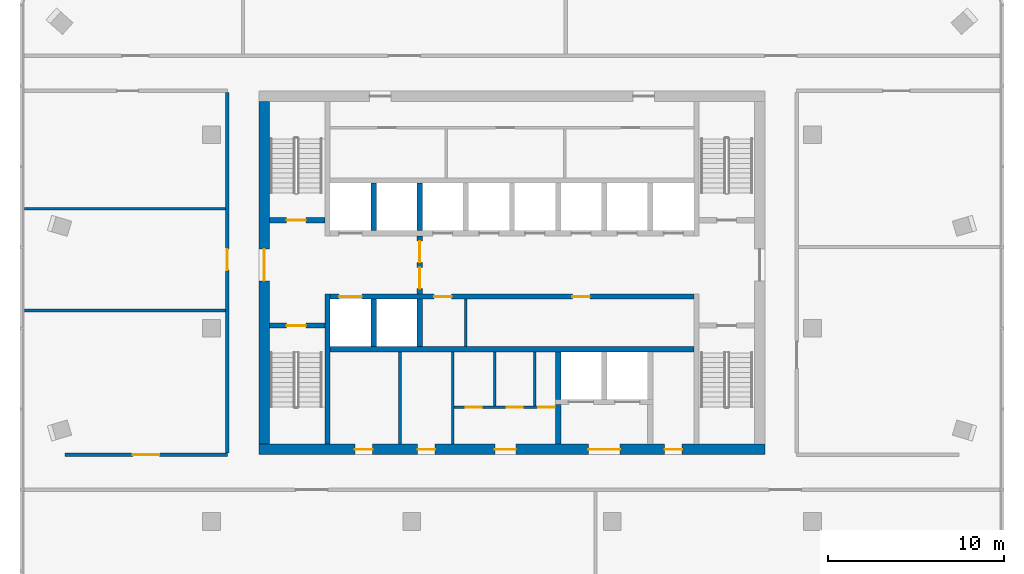
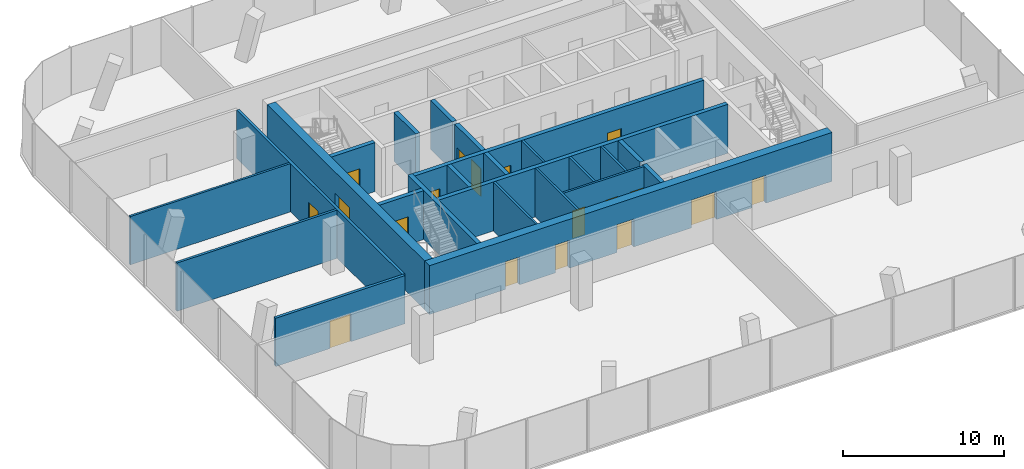
# One storey, part 7 of 10: 24 walls, 18 doors, 18 openings.
"""IFC4 building model written with IfcOpenShell, lengths in metres."""

from ifc_helpers import new_model, si_unit, direction, frame, frame_2d, origin, place, context, subcontext, project, spatial, rectangle, extrude, material, layer, layer_set, type_object, element, fill, save


model = new_model("IFC4")

# Units and contexts
model_context = context("Model", 3, precision=1e-05, world=origin(), true_north=direction((0.0, 1.0)))
body_context = subcontext(model_context, "Body", "Model", "MODEL_VIEW")
ifc_project = project(units=[si_unit("LENGTHUNIT", "METRE"), si_unit("AREAUNIT", "SQUARE_METRE"), si_unit("VOLUMEUNIT", "CUBIC_METRE"), si_unit("PLANEANGLEUNIT", "RADIAN"), si_unit("MASSUNIT", "GRAM", prefix="KILO")], contexts=[model_context])

# Site, building, storey
site_placement = place(None, origin())
site = spatial("IfcSite", under=ifc_project, at=site_placement, CompositionType="ELEMENT")
building_placement = place(site_placement, origin())
building = spatial("IfcBuilding", under=site, at=building_placement, Name="Mopane Tessera Tower", CompositionType="ELEMENT")
storey_placement = place(building_placement, frame((0.0, 0.0, 325.39990234375)))
storey = spatial("IfcBuildingStorey", under=building, at=storey_placement, Name="L71", CompositionType="ELEMENT", Elevation=325.39990234375)

# Walls
ifc_material_1 = material(Name="Fire-rated gypsum board partition")
ifc_layer_1 = layer(ifc_material_1, 0.14990234375)
ifc_layer_set_1 = layer_set([ifc_layer_1], Name="Fire-rated gypsum board partition")
wall_type_1 = type_object("IfcWallType", Name="Core room partition 150 mm", PredefinedType="PARTITIONING", material=ifc_layer_set_1)
for number, where, z_axis, x_axis, name in (
    (1, (-6.375, -6.60009765625, 0.0), (0.0, 0.0, 1.0), (0.0, 1.0, 0.0), "L71 Room partition"),
    (2, (-3.375, -6.60009765625, 0.0), (0.0, 0.0, 1.0), (0.0, 1.0, 0.0), "L71 Room partition"),
):
    element("IfcWall", number, at=place(storey_placement, frame(where, z_axis=z_axis, x_axis=x_axis)), inside=storey, type_object=wall_type_1, Name=name, PredefinedType="PARTITIONING", context=body_context, shape_type="SweptSolid", body=[
        extrude(rectangle(XDim=5.25, YDim=0.14990234375, at=frame_2d((2.625, 0.0))), origin(), (0.0, 0.0, 1.0), 3.7001953125),
    ])

# Wall, openings, doors
wall_1_placement = place(storey_placement, frame((-3.300048828125, -4.5, 0.0), z_axis=(0.0, 0.0, 1.0), x_axis=(1.0, 0.0, 0.0)))
wall_1 = element("IfcWall", 3, at=wall_1_placement, inside=storey, type_object=wall_type_1, Name="L71 WC partition", PredefinedType="PARTITIONING", context=body_context, shape_type="SweptSolid", body=[
    extrude(rectangle(XDim=5.775146484375, YDim=0.14990234375, at=frame_2d((2.8876953125, 0.0))), origin(), (0.0, 0.0, 1.0), 3.7001953125),
])
opening_1_placement = place(wall_1_placement, frame((0.675048828125, 0.0, 0.0)))
opening_1 = element("IfcOpeningElement", 4, at=opening_1_placement, cuts=wall_1, Name="Opening WD1", PredefinedType="OPENING", context=body_context, shape_type="SweptSolid", body=[
    extrude(rectangle(XDim=0.89990234375, YDim=2.10009765625, at=frame_2d((0.449951171875, 1.050048828125))), frame((0.0, 0.0869140625, 0.0), z_axis=(0.0, -1.0, 0.0), x_axis=(1.0, 0.0, 0.0)), (0.0, 0.0, 1.0), 0.173828125),
])
opening_2_placement = place(wall_1_placement, frame((3.014892578125, 0.0, 0.0)))
opening_2 = element("IfcOpeningElement", 5, at=opening_2_placement, cuts=wall_1, Name="Opening WD1", PredefinedType="OPENING", context=body_context, shape_type="SweptSolid", body=[
    extrude(rectangle(XDim=0.89990234375, YDim=2.10009765625, at=frame_2d((0.449951171875, 1.050048828125))), frame((0.0, 0.0869140625, 0.0), z_axis=(0.0, -1.0, 0.0), x_axis=(1.0, 0.0, 0.0)), (0.0, 0.0, 1.0), 0.173828125),
])
opening_3_placement = place(wall_1_placement, frame((4.7900390625, 0.0, 0.0)))
opening_3 = element("IfcOpeningElement", 6, at=opening_3_placement, cuts=wall_1, Name="Opening WD2", PredefinedType="OPENING", context=body_context, shape_type="SweptSolid", body=[
    extrude(rectangle(XDim=0.949951171875, YDim=2.10009765625, at=frame_2d((0.47509765625, 1.050048828125))), frame((0.0, 0.0869140625, 0.0), z_axis=(0.0, -1.0, 0.0), x_axis=(1.0, 0.0, 0.0)), (0.0, 0.0, 1.0), 0.173828125),
])
ifc_material_2 = material(Name="Timber door", Category="wood")
door_type_1 = type_object("IfcDoorType", Name="Accessible WC door 950 x 2100", OperationType="SINGLE_SWING_LEFT", PredefinedType="DOOR", material=ifc_material_2)
door_1_placement = place(opening_3_placement, origin())
door_1 = element("IfcDoor", 7, at=door_1_placement, inside=storey, type_object=door_type_1, Name="L71 Accessible WC door", OperationType="SINGLE_SWING_LEFT", OverallHeight=2.10009765625, OverallWidth=0.949951171875, PredefinedType="DOOR", context=body_context, shape_type="SweptSolid", body=[
    extrude(rectangle(XDim=0.949951171875, YDim=2.10009765625, at=frame_2d((0.47509765625, 1.050048828125))), frame((0.0, 0.02490234375, 0.0), z_axis=(0.0, -1.0, 0.0), x_axis=(1.0, 0.0, 0.0)), (0.0, 0.0, 1.0), 0.050048828125),
])
fill(opening_3, door_1)
ifc_material_3 = material(Name="Timber door", Category="wood")
door_type_2 = type_object("IfcDoorType", Name="WC cubicle door 900 x 2100", OperationType="SINGLE_SWING_LEFT", PredefinedType="DOOR", material=ifc_material_3)
door_2_placement = place(opening_1_placement, origin())
door_2 = element("IfcDoor", 8, at=door_2_placement, inside=storey, type_object=door_type_2, Name="L71 Men's WC door", OperationType="SINGLE_SWING_LEFT", OverallHeight=2.10009765625, OverallWidth=0.89990234375, PredefinedType="DOOR", context=body_context, shape_type="SweptSolid", body=[
    extrude(rectangle(XDim=0.89990234375, YDim=2.10009765625, at=frame_2d((0.449951171875, 1.050048828125))), frame((0.0, 0.02490234375, 0.0), z_axis=(0.0, -1.0, 0.0), x_axis=(1.0, 0.0, 0.0)), (0.0, 0.0, 1.0), 0.050048828125),
])
fill(opening_1, door_2)
door_3_placement = place(opening_2_placement, origin())
door_3 = element("IfcDoor", 9, at=door_3_placement, inside=storey, type_object=door_type_2, Name="L71 Women's WC door", OperationType="SINGLE_SWING_LEFT", OverallHeight=2.10009765625, OverallWidth=0.89990234375, PredefinedType="DOOR", context=body_context, shape_type="SweptSolid", body=[
    extrude(rectangle(XDim=0.89990234375, YDim=2.10009765625, at=frame_2d((0.449951171875, 1.050048828125))), frame((0.0, 0.02490234375, 0.0), z_axis=(0.0, -1.0, 0.0), x_axis=(1.0, 0.0, 0.0)), (0.0, 0.0, 1.0), 0.050048828125),
])
fill(opening_2, door_3)

# Walls
for number, where, z_axis, x_axis, name in (
    (10, (-0.97509765625, -4.425048828125, 0.0), (0.0, 0.0, 1.0), (0.0, 1.0, 0.0), "L71 WC partition"),
    (11, (1.304931640625, -4.425048828125, 0.0), (0.0, 0.0, 1.0), (0.0, 1.0, 0.0), "L71 WC partition"),
):
    element("IfcWall", number, at=place(storey_placement, frame(where, z_axis=z_axis, x_axis=x_axis)), inside=storey, type_object=wall_type_1, Name=name, PredefinedType="PARTITIONING", context=body_context, shape_type="SweptSolid", body=[
        extrude(rectangle(XDim=3.074951171875, YDim=0.14990234375, at=frame_2d((1.53759765625, 0.0))), origin(), (0.0, 0.0, 1.0), 3.7001953125),
    ])
wall_2_placement = place(storey_placement, frame((-2.625, -1.050048828125, 0.0), z_axis=(0.0, 0.0, 1.0), x_axis=(0.0, 1.0, 0.0)))
element("IfcWall", 12, at=wall_2_placement, inside=storey, type_object=wall_type_1, Name="L71 Room partition", PredefinedType="PARTITIONING", context=body_context, shape_type="SweptSolid", body=[
    extrude(rectangle(XDim=2.699951171875, YDim=0.14990234375, at=frame_2d((1.35009765625, 0.0))), origin(), (0.0, 0.0, 1.0), 3.7001953125),
])

# Wall, openings, doors
ifc_material_4 = material(Name="Concrete C70/85", Category="concrete")
ifc_layer_2 = layer(ifc_material_4, 0.60009765625)
ifc_layer_set_2 = layer_set([ifc_layer_2], Name="Concrete C70/85")
wall_type_2 = type_object("IfcWallType", Name="Core shear wall 600 mm", PredefinedType="SHEAR", material=ifc_layer_set_2)
wall_3_placement = place(storey_placement, frame((-14.39990234375, -6.89990234375, 0.0), z_axis=(0.0, 0.0, 1.0), x_axis=(1.0, 0.0, 0.0)))
wall_3 = element("IfcWall", 13, at=wall_3_placement, inside=storey, type_object=wall_type_2, Name="L71 Core wall south", PredefinedType="SHEAR", context=body_context, shape_type="SweptSolid", body=[
    extrude(rectangle(XDim=28.7998046875, YDim=0.60009765625, at=frame_2d((14.39990234375, 0.0))), origin(), (0.0, 0.0, 1.0), 3.7001953125),
])
opening_4_placement = place(wall_3_placement, frame((5.46240234375, 0.0, 0.0)))
opening_4 = element("IfcOpeningElement", 14, at=opening_4_placement, cuts=wall_3, Name="Opening RD1", PredefinedType="OPENING", context=body_context, shape_type="SweptSolid", body=[
    extrude(rectangle(XDim=1.0, YDim=2.10009765625, at=frame_2d((0.5, 1.050048828125))), frame((0.0, 0.31201171875, 0.0), z_axis=(0.0, -1.0, 0.0), x_axis=(1.0, 0.0, 0.0)), (0.0, 0.0, 1.0), 0.6240234375),
])
opening_5_placement = place(wall_3_placement, frame((9.02490234375, 0.0, 0.0)))
opening_5 = element("IfcOpeningElement", 15, at=opening_5_placement, cuts=wall_3, Name="Opening RD1", PredefinedType="OPENING", context=body_context, shape_type="SweptSolid", body=[
    extrude(rectangle(XDim=1.0, YDim=2.10009765625, at=frame_2d((0.5, 1.050048828125))), frame((0.0, 0.31201171875, 0.0), z_axis=(0.0, -1.0, 0.0), x_axis=(1.0, 0.0, 0.0)), (0.0, 0.0, 1.0), 0.6240234375),
])
opening_6_placement = place(wall_3_placement, frame((13.425048828125, 0.0, 0.0)))
opening_6 = element("IfcOpeningElement", 16, at=opening_6_placement, cuts=wall_3, Name="Opening WD3", PredefinedType="OPENING", context=body_context, shape_type="SweptSolid", body=[
    extrude(rectangle(XDim=1.199951171875, YDim=2.10009765625, at=frame_2d((0.60009765625, 1.050048828125))), frame((0.0, 0.31201171875, 0.0), z_axis=(0.0, -1.0, 0.0), x_axis=(1.0, 0.0, 0.0)), (0.0, 0.0, 1.0), 0.6240234375),
])
opening_7_placement = place(wall_3_placement, frame((18.75, 0.0, 0.0)))
opening_7 = element("IfcOpeningElement", 17, at=opening_7_placement, cuts=wall_3, Name="Opening SD2", PredefinedType="OPENING", context=body_context, shape_type="SweptSolid", body=[
    extrude(rectangle(XDim=1.800048828125, YDim=2.10009765625, at=frame_2d((0.89990234375, 1.050048828125))), frame((0.0, 0.31201171875, 0.0), z_axis=(0.0, -1.0, 0.0), x_axis=(1.0, 0.0, 0.0)), (0.0, 0.0, 1.0), 0.6240234375),
])
opening_8_placement = place(wall_3_placement, frame((23.08740234375, 0.0, 0.0)))
opening_8 = element("IfcOpeningElement", 18, at=opening_8_placement, cuts=wall_3, Name="Opening RD1", PredefinedType="OPENING", context=body_context, shape_type="SweptSolid", body=[
    extrude(rectangle(XDim=1.0, YDim=2.10009765625, at=frame_2d((0.5, 1.050048828125))), frame((0.0, 0.31201171875, 0.0), z_axis=(0.0, -1.0, 0.0), x_axis=(1.0, 0.0, 0.0)), (0.0, 0.0, 1.0), 0.6240234375),
])
ifc_material_5 = material(Name="Steel fire door", Category="steel")
door_type_3 = type_object("IfcDoorType", Name="Core entrance double door 1800 x 2100", OperationType="DOUBLE_DOOR_SINGLE_SWING", PredefinedType="DOOR", material=ifc_material_5)
door_4_placement = place(opening_7_placement, origin())
door_4 = element("IfcDoor", 19, at=door_4_placement, inside=storey, type_object=door_type_3, Name="L71 Service lobby door", OperationType="DOUBLE_DOOR_SINGLE_SWING", OverallHeight=2.10009765625, OverallWidth=1.800048828125, PredefinedType="DOOR", context=body_context, shape_type="SweptSolid", body=[
    extrude(rectangle(XDim=1.800048828125, YDim=2.10009765625, at=frame_2d((0.89990234375, 1.050048828125))), frame((0.0, 0.02490234375, 0.0), z_axis=(0.0, -1.0, 0.0), x_axis=(1.0, 0.0, 0.0)), (0.0, 0.0, 1.0), 0.050048828125),
])
fill(opening_7, door_4)
ifc_material_6 = material(Name="Timber door", Category="wood")
door_type_4 = type_object("IfcDoorType", Name="Core room door 1000 x 2100", OperationType="SINGLE_SWING_LEFT", PredefinedType="DOOR", material=ifc_material_6)
door_5_placement = place(opening_4_placement, origin())
door_5 = element("IfcDoor", 20, at=door_5_placement, inside=storey, type_object=door_type_4, Name="L71 Room door", OperationType="SINGLE_SWING_LEFT", OverallHeight=2.10009765625, OverallWidth=1.0, PredefinedType="DOOR", context=body_context, shape_type="SweptSolid", body=[
    extrude(rectangle(XDim=1.0, YDim=2.10009765625, at=frame_2d((0.5, 1.050048828125))), frame((0.0, 0.02490234375, 0.0), z_axis=(0.0, -1.0, 0.0), x_axis=(1.0, 0.0, 0.0)), (0.0, 0.0, 1.0), 0.050048828125),
])
fill(opening_4, door_5)
door_6_placement = place(opening_5_placement, origin())
door_6 = element("IfcDoor", 21, at=door_6_placement, inside=storey, type_object=door_type_4, Name="L71 Room door", OperationType="SINGLE_SWING_LEFT", OverallHeight=2.10009765625, OverallWidth=1.0, PredefinedType="DOOR", context=body_context, shape_type="SweptSolid", body=[
    extrude(rectangle(XDim=1.0, YDim=2.10009765625, at=frame_2d((0.5, 1.050048828125))), frame((0.0, 0.02490234375, 0.0), z_axis=(0.0, -1.0, 0.0), x_axis=(1.0, 0.0, 0.0)), (0.0, 0.0, 1.0), 0.050048828125),
])
fill(opening_5, door_6)
door_7_placement = place(opening_8_placement, origin())
door_7 = element("IfcDoor", 22, at=door_7_placement, inside=storey, type_object=door_type_4, Name="L71 Room door", OperationType="SINGLE_SWING_LEFT", OverallHeight=2.10009765625, OverallWidth=1.0, PredefinedType="DOOR", context=body_context, shape_type="SweptSolid", body=[
    extrude(rectangle(XDim=1.0, YDim=2.10009765625, at=frame_2d((0.5, 1.050048828125))), frame((0.0, 0.02490234375, 0.0), z_axis=(0.0, -1.0, 0.0), x_axis=(1.0, 0.0, 0.0)), (0.0, 0.0, 1.0), 0.050048828125),
])
fill(opening_8, door_7)
ifc_material_7 = material(Name="Timber door", Category="wood")
door_type_5 = type_object("IfcDoorType", Name="WC lobby door 1200 x 2100", OperationType="SINGLE_SWING_LEFT", PredefinedType="DOOR", material=ifc_material_7)
door_8_placement = place(opening_6_placement, origin())
door_8 = element("IfcDoor", 23, at=door_8_placement, inside=storey, type_object=door_type_5, Name="L71 WC lobby door", OperationType="SINGLE_SWING_LEFT", OverallHeight=2.10009765625, OverallWidth=1.199951171875, PredefinedType="DOOR", context=body_context, shape_type="SweptSolid", body=[
    extrude(rectangle(XDim=1.199951171875, YDim=2.10009765625, at=frame_2d((0.60009765625, 1.050048828125))), frame((0.0, 0.02490234375, 0.0), z_axis=(0.0, -1.0, 0.0), x_axis=(1.0, 0.0, 0.0)), (0.0, 0.0, 1.0), 0.050048828125),
])
fill(opening_6, door_8)

# Wall, opening, door
wall_4_placement = place(storey_placement, frame((-14.10009765625, -6.60009765625, 0.0), z_axis=(0.0, 0.0, 1.0), x_axis=(0.0, 1.0, 0.0)))
wall_4 = element("IfcWall", 24, at=wall_4_placement, inside=storey, type_object=wall_type_2, Name="L71 Core wall west", PredefinedType="SHEAR", context=body_context, shape_type="SweptSolid", body=[
    extrude(rectangle(XDim=19.5, YDim=0.60009765625, at=frame_2d((9.75, 0.0))), origin(), (0.0, 0.0, 1.0), 3.7001953125),
])
opening_9_placement = place(wall_4_placement, frame((9.300048828125, 0.0, 0.0)))
opening_9 = element("IfcOpeningElement", 25, at=opening_9_placement, cuts=wall_4, Name="Opening SD2", PredefinedType="OPENING", context=body_context, shape_type="SweptSolid", body=[
    extrude(rectangle(XDim=1.800048828125, YDim=2.10009765625, at=frame_2d((0.89990234375, 1.050048828125))), frame((0.0, 0.31201171875, 0.0), z_axis=(0.0, -1.0, 0.0), x_axis=(1.0, 0.0, 0.0)), (0.0, 0.0, 1.0), 0.6240234375),
])
door_9_placement = place(opening_9_placement, origin())
door_9 = element("IfcDoor", 26, at=door_9_placement, inside=storey, type_object=door_type_3, Name="L71 Core entrance door west", OperationType="DOUBLE_DOOR_SINGLE_SWING", OverallHeight=2.10009765625, OverallWidth=1.800048828125, PredefinedType="DOOR", context=body_context, shape_type="SweptSolid", body=[
    extrude(rectangle(XDim=1.800048828125, YDim=2.10009765625, at=frame_2d((0.89990234375, 1.050048828125))), frame((0.0, 0.02490234375, 0.0), z_axis=(0.0, -1.0, 0.0), x_axis=(1.0, 0.0, 0.0)), (0.0, 0.0, 1.0), 0.050048828125),
])
fill(opening_9, door_9)

# Walls
ifc_material_8 = material(Name="Concrete C60/75", Category="concrete")
ifc_layer_3 = layer(ifc_material_8, 0.300048828125)
ifc_layer_set_3 = layer_set([ifc_layer_3], Name="Concrete C60/75")
wall_type_3 = type_object("IfcWallType", Name="Core spine wall 300 mm", PredefinedType="SHEAR", material=ifc_layer_set_3)
wall_5_placement = place(storey_placement, frame((-10.5, -6.60009765625, 0.0), z_axis=(0.0, 0.0, 1.0), x_axis=(0.0, 1.0, 0.0)))
element("IfcWall", 27, at=wall_5_placement, inside=storey, type_object=wall_type_3, Name="L71 Core spine wall", PredefinedType="SHEAR", context=body_context, shape_type="SweptSolid", body=[
    extrude(rectangle(XDim=8.550048828125, YDim=0.300048828125, at=frame_2d((4.27490234375, 0.0))), origin(), (0.0, 0.0, 1.0), 3.7001953125),
])
ifc_material_9 = material(Name="Gypsum board on staggered steel studs, double layer each face, acoustic mineral wool infill", Category="steel")
ifc_layer_4 = layer(ifc_material_9, 0.175048828125)
ifc_layer_set_4 = layer_set([ifc_layer_4], Name="Gypsum board on staggered steel studs, double layer each face, acoustic mineral wool infill")
wall_type_4 = type_object("IfcWallType", Name="Gypsum board acoustic partition 175, rated EI 60", PredefinedType="PARTITIONING", material=ifc_layer_set_4)
wall_6_placement = place(storey_placement, frame((-27.75, 1.010009765625, 0.0), z_axis=(0.0, 0.0, 1.0), x_axis=(1.0, 0.0, 0.0)))
element("IfcWall", 28, at=wall_6_placement, inside=storey, type_object=wall_type_4, Name="Partition L71:003", PredefinedType="PARTITIONING", context=body_context, shape_type="SweptSolid", body=[
    extrude(rectangle(XDim=11.449951171875, YDim=0.175048828125, at=frame_2d((5.72509765625, 0.0))), origin(), (0.0, 0.0, 1.0), 3.650146484375),
])

# Wall, opening, door
ifc_material_10 = material(Name="Gypsum board on steel studs, two layers each face, mineral wool infill", Category="steel")
ifc_layer_5 = layer(ifc_material_10, 0.199951171875)
ifc_layer_set_5 = layer_set([ifc_layer_5], Name="Gypsum board on steel studs, two layers each face, mineral wool infill")
wall_type_5 = type_object("IfcWallType", Name="Gypsum board corridor wall 200, rated EI 60", PredefinedType="PARTITIONING", material=ifc_layer_set_5)
wall_7_placement = place(storey_placement, frame((-25.449951171875, -7.199951171875, 0.0), z_axis=(0.0, 0.0, 1.0), x_axis=(1.0, 0.0, 0.0)))
wall_7 = element("IfcWall", 29, at=wall_7_placement, inside=storey, type_object=wall_type_5, Name="Partition L71:001", PredefinedType="PARTITIONING", context=body_context, shape_type="SweptSolid", body=[
    extrude(rectangle(XDim=9.25, YDim=0.199951171875, at=frame_2d((4.625, 0.0))), origin(), (0.0, 0.0, 1.0), 3.650146484375),
])
opening_10_placement = place(wall_7_placement, frame((3.875, 0.0, 0.0)))
opening_10 = element("IfcOpeningElement", 30, at=opening_10_placement, cuts=wall_7, Name="Opening L71-07", PredefinedType="OPENING", context=body_context, shape_type="SweptSolid", body=[
    extrude(rectangle(XDim=1.5, YDim=2.10009765625, at=frame_2d((0.75, 1.050048828125))), frame((0.0, 0.112060546875, 0.0), z_axis=(0.0, -1.0, 0.0), x_axis=(1.0, 0.0, 0.0)), (0.0, 0.0, 1.0), 0.223876953125),
])
ifc_material_11 = material(Name="Timber veneered steel-framed fire door", Category="steel")
door_type_6 = type_object("IfcDoorType", Name="Fire door pair FD60 1500 x 2100", OperationType="DOUBLE_DOOR_SINGLE_SWING", PredefinedType="DOOR", material=ifc_material_11)
door_10_placement = place(opening_10_placement, origin())
door_10 = element("IfcDoor", 31, at=door_10_placement, inside=storey, type_object=door_type_6, Name="Door L71-07", ObjectType="D17A", OperationType="DOUBLE_DOOR_SINGLE_SWING", OverallHeight=2.10009765625, OverallWidth=1.5, PredefinedType="DOOR", context=body_context, shape_type="SweptSolid", body=[
    extrude(rectangle(XDim=1.5, YDim=2.10009765625, at=frame_2d((0.75, 1.050048828125))), frame((0.0, 0.02490234375, 0.0), z_axis=(0.0, -1.0, 0.0), x_axis=(1.0, 0.0, 0.0)), (0.0, 0.0, 1.0), 0.050048828125),
])
fill(opening_10, door_10)

wall_8_placement = place(storey_placement, frame((-16.199951171875, -7.10009765625, 0.0), z_axis=(0.0, 0.0, 1.0), x_axis=(0.0, 1.0, 0.0)))
wall_8 = element("IfcWall", 32, at=wall_8_placement, inside=storey, type_object=wall_type_5, Name="Partition L71:009", PredefinedType="PARTITIONING", context=body_context, shape_type="SweptSolid", body=[
    extrude(rectangle(XDim=20.5, YDim=0.199951171875, at=frame_2d((10.25, 0.0))), origin(), (0.0, 0.0, 1.0), 3.650146484375),
])
opening_11_placement = place(wall_8_placement, frame((10.39990234375, 0.0, 0.0)))
opening_11 = element("IfcOpeningElement", 33, at=opening_11_placement, cuts=wall_8, Name="Opening L71-03", PredefinedType="OPENING", context=body_context, shape_type="SweptSolid", body=[
    extrude(rectangle(XDim=1.199951171875, YDim=2.10009765625, at=frame_2d((0.60009765625, 1.050048828125))), frame((0.0, 0.112060546875, 0.0), z_axis=(0.0, -1.0, 0.0), x_axis=(1.0, 0.0, 0.0)), (0.0, 0.0, 1.0), 0.223876953125),
])
ifc_material_12 = material(Name="Timber veneered steel-framed fire door", Category="steel")
door_type_7 = type_object("IfcDoorType", Name="Fire door FD60 1200 x 2100", OperationType="SINGLE_SWING_LEFT", PredefinedType="DOOR", material=ifc_material_12)
door_11_placement = place(opening_11_placement, origin())
door_11 = element("IfcDoor", 34, at=door_11_placement, inside=storey, type_object=door_type_7, Name="Door L71-03", ObjectType="D15A", OperationType="SINGLE_SWING_RIGHT", OverallHeight=2.10009765625, OverallWidth=1.199951171875, PredefinedType="DOOR", context=body_context, shape_type="SweptSolid", body=[
    extrude(rectangle(XDim=1.199951171875, YDim=2.10009765625, at=frame_2d((0.60009765625, 1.050048828125))), frame((0.0, 0.02490234375, 0.0), z_axis=(0.0, -1.0, 0.0), x_axis=(1.0, 0.0, 0.0)), (0.0, 0.0, 1.0), 0.050048828125),
])
fill(opening_11, door_11)

# Wall
ifc_material_13 = material(Name="Gypsum board on steel studs, mineral wool infill", Category="steel")
ifc_layer_6 = layer(ifc_material_13, 0.14990234375)
ifc_layer_set_6 = layer_set([ifc_layer_6], Name="Gypsum board on steel studs, mineral wool infill")
wall_type_6 = type_object("IfcWallType", Name="Gypsum board partition 150, rated EI 60", PredefinedType="PARTITIONING", material=ifc_layer_set_6)
wall_9_placement = place(storey_placement, frame((-27.75, 6.7900390625, 0.0), z_axis=(0.0, 0.0, 1.0), x_axis=(1.0, 0.0, 0.0)))
element("IfcWall", 35, at=wall_9_placement, inside=storey, type_object=wall_type_6, Name="Partition L71:005", PredefinedType="PARTITIONING", context=body_context, shape_type="SweptSolid", body=[
    extrude(rectangle(XDim=11.449951171875, YDim=0.14990234375, at=frame_2d((5.72509765625, 0.0))), origin(), (0.0, 0.0, 1.0), 3.650146484375),
])

# Wall, opening, door
ifc_material_14 = material(Name="Concrete C50/60", Category="concrete")
ifc_layer_7 = layer(ifc_material_14, 0.300048828125)
ifc_layer_set_7 = layer_set([ifc_layer_7], Name="Concrete C50/60")
wall_type_7 = type_object("IfcWallType", Name="Lift and stair shaft wall 300 mm", PredefinedType="SOLIDWALL", material=ifc_layer_set_7)
wall_10_placement = place(storey_placement, frame((-13.800048828125, 0.14990234375, 0.0), z_axis=(0.0, 0.0, 1.0), x_axis=(1.0, 0.0, 0.0)))
wall_10 = element("IfcWall", 36, at=wall_10_placement, inside=storey, type_object=wall_type_7, Name="L71 Stair enclosure wall", PredefinedType="SOLIDWALL", context=body_context, shape_type="SweptSolid", body=[
    extrude(rectangle(XDim=3.150146484375, YDim=0.300048828125, at=frame_2d((1.5751953125, 0.0))), origin(), (0.0, 0.0, 1.0), 3.7001953125),
])
opening_12_placement = place(wall_10_placement, frame((0.97509765625, 0.0, 0.0)))
opening_12 = element("IfcOpeningElement", 37, at=opening_12_placement, cuts=wall_10, Name="Opening SD1", PredefinedType="OPENING", context=body_context, shape_type="SweptSolid", body=[
    extrude(rectangle(XDim=1.10009765625, YDim=2.10009765625, at=frame_2d((0.550048828125, 1.050048828125))), frame((0.0, 0.162109375, 0.0), z_axis=(0.0, -1.0, 0.0), x_axis=(1.0, 0.0, 0.0)), (0.0, 0.0, 1.0), 0.323974609375),
])
ifc_material_15 = material(Name="Steel fire door", Category="steel")
door_type_8 = type_object("IfcDoorType", Name="Stair fire door 1100 x 2100", OperationType="SINGLE_SWING_LEFT", PredefinedType="DOOR", material=ifc_material_15)
door_12_placement = place(opening_12_placement, origin())
door_12 = element("IfcDoor", 38, at=door_12_placement, inside=storey, type_object=door_type_8, Name="L71 Stair door ST1", OperationType="SINGLE_SWING_LEFT", OverallHeight=2.10009765625, OverallWidth=1.10009765625, PredefinedType="DOOR", context=body_context, shape_type="SweptSolid", body=[
    extrude(rectangle(XDim=1.10009765625, YDim=2.10009765625, at=frame_2d((0.550048828125, 1.050048828125))), frame((0.0, 0.02490234375, 0.0), z_axis=(0.0, -1.0, 0.0), x_axis=(1.0, 0.0, 0.0)), (0.0, 0.0, 1.0), 0.050048828125),
])
fill(opening_12, door_12)

wall_11_placement = place(storey_placement, frame((-13.800048828125, 6.14990234375, 0.0), z_axis=(0.0, 0.0, 1.0), x_axis=(1.0, 0.0, 0.0)))
wall_11 = element("IfcWall", 39, at=wall_11_placement, inside=storey, type_object=wall_type_7, Name="L71 Stair enclosure wall", PredefinedType="SOLIDWALL", context=body_context, shape_type="SweptSolid", body=[
    extrude(rectangle(XDim=3.150146484375, YDim=0.300048828125, at=frame_2d((1.5751953125, 0.0))), origin(), (0.0, 0.0, 1.0), 3.7001953125),
])
opening_13_placement = place(wall_11_placement, frame((0.97509765625, 0.0, 0.0)))
opening_13 = element("IfcOpeningElement", 40, at=opening_13_placement, cuts=wall_11, Name="Opening SD1", PredefinedType="OPENING", context=body_context, shape_type="SweptSolid", body=[
    extrude(rectangle(XDim=1.10009765625, YDim=2.10009765625, at=frame_2d((0.550048828125, 1.050048828125))), frame((0.0, 0.162109375, 0.0), z_axis=(0.0, -1.0, 0.0), x_axis=(1.0, 0.0, 0.0)), (0.0, 0.0, 1.0), 0.323974609375),
])
door_13_placement = place(opening_13_placement, origin())
door_13 = element("IfcDoor", 41, at=door_13_placement, inside=storey, type_object=door_type_8, Name="L71 Stair door ST2", OperationType="SINGLE_SWING_LEFT", OverallHeight=2.10009765625, OverallWidth=1.10009765625, PredefinedType="DOOR", context=body_context, shape_type="SweptSolid", body=[
    extrude(rectangle(XDim=1.10009765625, YDim=2.10009765625, at=frame_2d((0.550048828125, 1.050048828125))), frame((0.0, 0.02490234375, 0.0), z_axis=(0.0, -1.0, 0.0), x_axis=(1.0, 0.0, 0.0)), (0.0, 0.0, 1.0), 0.050048828125),
])
fill(opening_13, door_13)

# Wall
wall_12_placement = place(storey_placement, frame((-10.35009765625, -1.199951171875, 0.0), z_axis=(0.0, 0.0, 1.0), x_axis=(1.0, 0.0, 0.0)))
element("IfcWall", 42, at=wall_12_placement, inside=storey, type_object=wall_type_7, Name="L71 Lift shaft rear wall", PredefinedType="SOLIDWALL", context=body_context, shape_type="SweptSolid", body=[
    extrude(rectangle(XDim=20.7001953125, YDim=0.300048828125, at=frame_2d((10.35009765625, 0.0))), origin(), (0.0, 0.0, 1.0), 3.7001953125),
])

# Wall, openings, doors
wall_13_placement = place(storey_placement, frame((-10.35009765625, 1.800048828125, 0.0), z_axis=(0.0, 0.0, 1.0), x_axis=(1.0, 0.0, 0.0)))
wall_13 = element("IfcWall", 43, at=wall_13_placement, inside=storey, type_object=wall_type_7, Name="L71 Lift shaft front wall", PredefinedType="SOLIDWALL", context=body_context, shape_type="SweptSolid", body=[
    extrude(rectangle(XDim=20.7001953125, YDim=0.300048828125, at=frame_2d((10.35009765625, 0.0))), origin(), (0.0, 0.0, 1.0), 3.7001953125),
])
opening_14_placement = place(wall_13_placement, frame((0.512451171875, 0.0, 0.0)))
opening_14 = element("IfcOpeningElement", 44, at=opening_14_placement, cuts=wall_13, Name="Opening LD2", PredefinedType="OPENING", context=body_context, shape_type="SweptSolid", body=[
    extrude(rectangle(XDim=1.300048828125, YDim=2.10009765625, at=frame_2d((0.64990234375, 1.050048828125))), frame((0.0, 0.162109375, 0.0), z_axis=(0.0, -1.0, 0.0), x_axis=(1.0, 0.0, 0.0)), (0.0, 0.0, 1.0), 0.323974609375),
])
opening_15_placement = place(wall_13_placement, frame((5.91259765625, 0.0, 0.0)))
opening_15 = element("IfcOpeningElement", 45, at=opening_15_placement, cuts=wall_13, Name="Opening RD1", PredefinedType="OPENING", context=body_context, shape_type="SweptSolid", body=[
    extrude(rectangle(XDim=1.0, YDim=2.10009765625, at=frame_2d((0.5, 1.050048828125))), frame((0.0, 0.162109375, 0.0), z_axis=(0.0, -1.0, 0.0), x_axis=(1.0, 0.0, 0.0)), (0.0, 0.0, 1.0), 0.323974609375),
])
opening_16_placement = place(wall_13_placement, frame((13.78759765625, 0.0, 0.0)))
opening_16 = element("IfcOpeningElement", 46, at=opening_16_placement, cuts=wall_13, Name="Opening RD1", PredefinedType="OPENING", context=body_context, shape_type="SweptSolid", body=[
    extrude(rectangle(XDim=1.0, YDim=2.10009765625, at=frame_2d((0.5, 1.050048828125))), frame((0.0, 0.162109375, 0.0), z_axis=(0.0, -1.0, 0.0), x_axis=(1.0, 0.0, 0.0)), (0.0, 0.0, 1.0), 0.323974609375),
])
door_14_placement = place(opening_15_placement, origin())
door_14 = element("IfcDoor", 47, at=door_14_placement, inside=storey, type_object=door_type_4, Name="L71 Room door", OperationType="SINGLE_SWING_LEFT", OverallHeight=2.10009765625, OverallWidth=1.0, PredefinedType="DOOR", context=body_context, shape_type="SweptSolid", body=[
    extrude(rectangle(XDim=1.0, YDim=2.10009765625, at=frame_2d((0.5, 1.050048828125))), frame((0.0, 0.02490234375, 0.0), z_axis=(0.0, -1.0, 0.0), x_axis=(1.0, 0.0, 0.0)), (0.0, 0.0, 1.0), 0.050048828125),
])
fill(opening_15, door_14)
door_15_placement = place(opening_16_placement, origin())
door_15 = element("IfcDoor", 48, at=door_15_placement, inside=storey, type_object=door_type_4, Name="L71 Room door", OperationType="SINGLE_SWING_LEFT", OverallHeight=2.10009765625, OverallWidth=1.0, PredefinedType="DOOR", context=body_context, shape_type="SweptSolid", body=[
    extrude(rectangle(XDim=1.0, YDim=2.10009765625, at=frame_2d((0.5, 1.050048828125))), frame((0.0, 0.02490234375, 0.0), z_axis=(0.0, -1.0, 0.0), x_axis=(1.0, 0.0, 0.0)), (0.0, 0.0, 1.0), 0.050048828125),
])
fill(opening_16, door_15)
ifc_material_16 = material(Name="Stainless steel sliding door", Category="steel")
door_type_9 = type_object("IfcDoorType", Name="Fire-fighting lift landing door 1300 x 2100", OperationType="DOUBLE_DOOR_SLIDING", PredefinedType="DOOR", material=ifc_material_16)
door_16_placement = place(opening_14_placement, origin())
door_16 = element("IfcDoor", 49, at=door_16_placement, inside=storey, type_object=door_type_9, Name="L71 Lift landing door FF1", OperationType="DOUBLE_DOOR_SLIDING", OverallHeight=2.10009765625, OverallWidth=1.300048828125, PredefinedType="DOOR", context=body_context, shape_type="SweptSolid", body=[
    extrude(rectangle(XDim=1.300048828125, YDim=2.10009765625, at=frame_2d((0.64990234375, 1.050048828125))), frame((0.0, 0.02490234375, 0.0), z_axis=(0.0, -1.0, 0.0), x_axis=(1.0, 0.0, 0.0)), (0.0, 0.0, 1.0), 0.050048828125),
])
fill(opening_14, door_16)

# Walls
for number, where, z_axis, x_axis, name in (
    (50, (-7.875, -1.050048828125, 0.0), (0.0, 0.0, 1.0), (0.0, 1.0, 0.0), "L71 Lift shaft wall"),
    (51, (-5.25, -1.050048828125, 0.0), (0.0, 0.0, 1.0), (0.0, 1.0, 0.0), "L71 Lift shaft wall"),
    (52, (-7.875, 5.550048828125, 0.0), (0.0, 0.0, 1.0), (0.0, 1.0, 0.0), "L71 Lift shaft wall"),
    (53, (-5.25, 5.550048828125, 0.0), (0.0, 0.0, 1.0), (0.0, 1.0, 0.0), "L71 Lift shaft wall"),
    (54, (2.625, -4.050048828125, 0.0), (0.0, 0.0, 1.0), (0.0, 1.0, 0.0), "L71 Lift shaft wall"),
):
    element("IfcWall", number, at=place(storey_placement, frame(where, z_axis=z_axis, x_axis=x_axis)), inside=storey, type_object=wall_type_7, Name=name, PredefinedType="SOLIDWALL", context=body_context, shape_type="SweptSolid", body=[
        extrude(rectangle(XDim=2.699951171875, YDim=0.300048828125, at=frame_2d((1.35009765625, 0.0))), origin(), (0.0, 0.0, 1.0), 3.7001953125),
    ])

# Wall, openings, doors
ifc_material_17 = material(Name="Concrete C50/60", Category="concrete")
ifc_layer_8 = layer(ifc_material_17, 0.300048828125)
ifc_layer_set_8 = layer_set([ifc_layer_8], Name="Concrete C50/60")
wall_type_8 = type_object("IfcWallType", Name="Lobby and refuge room wall 300 mm", PredefinedType="SOLIDWALL", material=ifc_layer_set_8)
wall_14_placement = place(storey_placement, frame((-5.25, 1.949951171875, 0.0), z_axis=(0.0, 0.0, 1.0), x_axis=(0.0, 1.0, 0.0)))
wall_14 = element("IfcWall", 55, at=wall_14_placement, inside=storey, type_object=wall_type_8, Name="L71 Fire-fighting lobby wall", PredefinedType="SOLIDWALL", context=body_context, shape_type="SweptSolid", body=[
    extrude(rectangle(XDim=3.300048828125, YDim=0.300048828125, at=frame_2d((1.64990234375, 0.0))), origin(), (0.0, 0.0, 1.0), 3.7001953125),
])
opening_17_placement = place(wall_14_placement, frame((0.300048828125, 0.0, 0.0)))
opening_17 = element("IfcOpeningElement", 56, at=opening_17_placement, cuts=wall_14, Name="Opening SD3", PredefinedType="OPENING", context=body_context, shape_type="SweptSolid", body=[
    extrude(rectangle(XDim=1.199951171875, YDim=2.10009765625, at=frame_2d((0.60009765625, 1.050048828125))), frame((0.0, 0.162109375, 0.0), z_axis=(0.0, -1.0, 0.0), x_axis=(1.0, 0.0, 0.0)), (0.0, 0.0, 1.0), 0.323974609375),
])
opening_18_placement = place(wall_14_placement, frame((1.800048828125, 0.0, 0.0)))
opening_18 = element("IfcOpeningElement", 57, at=opening_18_placement, cuts=wall_14, Name="Opening SD3", PredefinedType="OPENING", context=body_context, shape_type="SweptSolid", body=[
    extrude(rectangle(XDim=1.199951171875, YDim=2.10009765625, at=frame_2d((0.60009765625, 1.050048828125))), frame((0.0, 0.162109375, 0.0), z_axis=(0.0, -1.0, 0.0), x_axis=(1.0, 0.0, 0.0)), (0.0, 0.0, 1.0), 0.323974609375),
])
ifc_material_18 = material(Name="Steel fire door", Category="steel")
door_type_10 = type_object("IfcDoorType", Name="Lobby fire door 1200 x 2100", OperationType="SINGLE_SWING_LEFT", PredefinedType="DOOR", material=ifc_material_18)
door_17_placement = place(opening_17_placement, origin())
door_17 = element("IfcDoor", 58, at=door_17_placement, inside=storey, type_object=door_type_10, Name="L71 Fire-fighting lobby door", OperationType="SINGLE_SWING_LEFT", OverallHeight=2.10009765625, OverallWidth=1.199951171875, PredefinedType="DOOR", context=body_context, shape_type="SweptSolid", body=[
    extrude(rectangle(XDim=1.199951171875, YDim=2.10009765625, at=frame_2d((0.60009765625, 1.050048828125))), frame((0.0, 0.02490234375, 0.0), z_axis=(0.0, -1.0, 0.0), x_axis=(1.0, 0.0, 0.0)), (0.0, 0.0, 1.0), 0.050048828125),
])
fill(opening_17, door_17)
door_18_placement = place(opening_18_placement, origin())
door_18 = element("IfcDoor", 59, at=door_18_placement, inside=storey, type_object=door_type_10, Name="L71 Fire-fighting lobby door", OperationType="SINGLE_SWING_RIGHT", OverallHeight=2.10009765625, OverallWidth=1.199951171875, PredefinedType="DOOR", context=body_context, shape_type="SweptSolid", body=[
    extrude(rectangle(XDim=1.199951171875, YDim=2.10009765625, at=frame_2d((0.60009765625, 1.050048828125))), frame((0.0, 0.02490234375, 0.0), z_axis=(0.0, -1.0, 0.0), x_axis=(1.0, 0.0, 0.0)), (0.0, 0.0, 1.0), 0.050048828125),
])
fill(opening_18, door_18)

# Wall
wall_15_placement = place(storey_placement, frame((2.625, -6.60009765625, 0.0), z_axis=(0.0, 0.0, 1.0), x_axis=(0.0, 1.0, 0.0)))
element("IfcWall", 60, at=wall_15_placement, inside=storey, type_object=wall_type_8, Name="L71 Service lobby wall", PredefinedType="SOLIDWALL", context=body_context, shape_type="SweptSolid", body=[
    extrude(rectangle(XDim=2.25, YDim=0.300048828125, at=frame_2d((1.125, 0.0))), origin(), (0.0, 0.0, 1.0), 3.7001953125),
])

save(model, "model.ifc")
